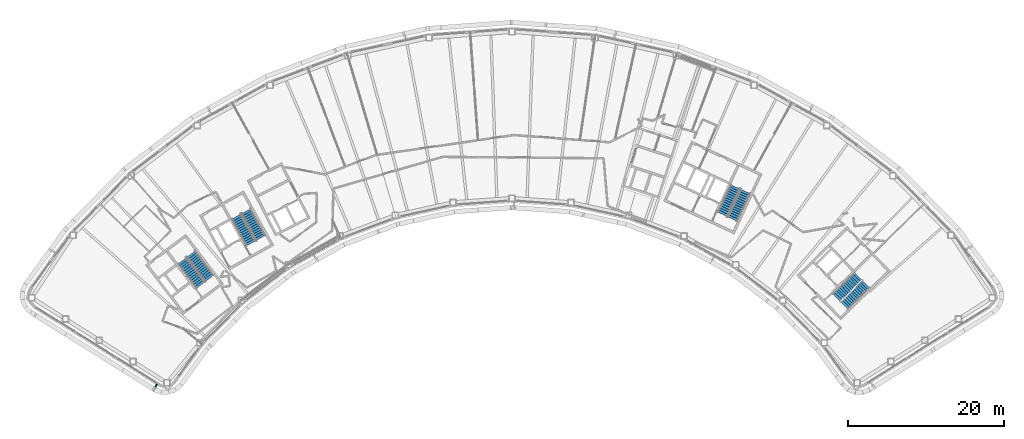
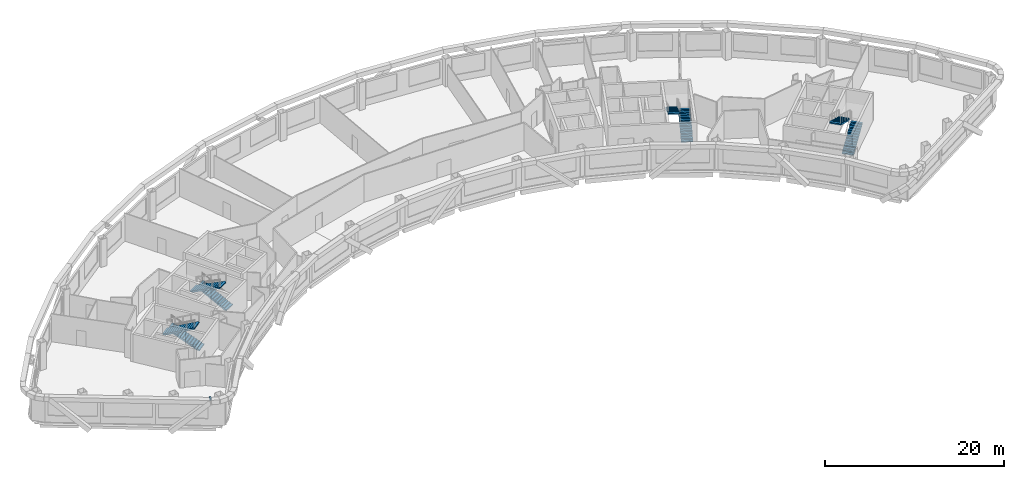
# One storey, part 12 of 18: 8 stair flights, 1 discrete accessory, 4 elements without a shape of their own.
"""IFC4 building model written with IfcOpenShell, lengths in metres."""

from ifc_helpers import new_model, si_unit, direction, frame, origin, origin_2d, place, context, subcontext, project, spatial, polyline, rectangle, outline, extrude, material, type_object, element, aggregate, save


model = new_model("IFC4")

# Units and contexts
model_context = context("Model", 3, precision=1e-05, world=origin(), true_north=direction((0.0, 1.0)))
body_context = subcontext(model_context, "Body", "Model", "MODEL_VIEW")
ifc_project = project(units=[si_unit("LENGTHUNIT", "METRE"), si_unit("AREAUNIT", "SQUARE_METRE"), si_unit("VOLUMEUNIT", "CUBIC_METRE"), si_unit("PLANEANGLEUNIT", "RADIAN"), si_unit("MASSUNIT", "GRAM", prefix="KILO")], contexts=[model_context])

# Site, building, storey
site_placement = place(None, origin())
site = spatial("IfcSite", under=ifc_project, at=site_placement, CompositionType="ELEMENT")
building_placement = place(site_placement, origin())
building = spatial("IfcBuilding", under=site, at=building_placement, Name="Tuul Gate Civic Tower", CompositionType="ELEMENT")
storey_placement = place(building_placement, frame((0.0, 0.0, 234.699951171875)))
storey = spatial("IfcBuildingStorey", under=building, at=storey_placement, Name="Level 53", CompositionType="ELEMENT", Elevation=234.699951171875)

# Stair, stair flights
ifc_material_1 = material(Name="Concrete C40/50", Category="concrete")
stair_type = type_object("IfcStairType", Name="Exit stair", PredefinedType="HALF_TURN_STAIR", material=ifc_material_1)
stair_1_placement = place(storey_placement, origin())
stair_1 = element("IfcStair", 1, at=stair_1_placement, inside=storey, type_object=stair_type, Name="Level 53 ST-1", PredefinedType="HALF_TURN_STAIR")
ifc_material_2 = material(Name="Concrete C40/50", Category="concrete")
stair_flight_type = type_object("IfcStairFlightType", Name="Exit stair flight", PredefinedType="STRAIGHT", material=ifc_material_2)
stair_flight_1_placement = place(storey_placement, frame((-32.875244140625, -13.066650390625, 0.0), z_axis=(0.0, 0.0, 1.0), x_axis=(-0.605764474941, 0.795644016442, 0.0)))
stair_flight_1 = element("IfcStairFlight", 2, at=stair_flight_1_placement, type_object=stair_flight_type, Name="ST-1 flight 1", NumberOfRisers=14, NumberOfTreads=13, PredefinedType="STRAIGHT", RiserHeight=0.15, TreadLength=0.3, context=body_context, shape_type="SweptSolid", body=[
    extrude(outline(polyline([(0.0, 0.0), (0.0, 0.14990234375), (0.300048828125, 0.14990234375), (0.300048828125, 0.300048828125), (0.60009765625, 0.300048828125), (0.60009765625, 0.449951171875), (0.89990234375, 0.449951171875), (0.89990234375, 0.60009765625), (1.199951171875, 0.60009765625), (1.199951171875, 0.75), (1.5, 0.75), (1.5, 0.89990234375), (1.800048828125, 0.89990234375), (1.800048828125, 1.050048828125), (2.10009765625, 1.050048828125), (2.10009765625, 1.199951171875), (2.39990234375, 1.199951171875), (2.39990234375, 1.35009765625), (2.699951171875, 1.35009765625), (2.699951171875, 1.5), (3.0, 1.5), (3.0, 1.64990234375), (3.300048828125, 1.64990234375), (3.300048828125, 1.800048828125), (3.60009765625, 1.800048828125), (3.60009765625, 1.949951171875), (3.89990234375, 1.949951171875), (3.89990234375, 2.10009765625), (3.89990234375, 1.782470703125), (0.335205078125, 0.0), (0.0, 0.0)])), frame((0.0, 0.675048828125, 0.0), z_axis=(0.0, -1.0, 0.0), x_axis=(1.0, 0.0, 0.0)), (0.0, 0.0, 1.0), 1.35009765625),
])
stair_flight_2_placement = place(storey_placement, frame((-36.391357421875, -10.842041015625, 2.10009765625), z_axis=(0.0, 0.0, 1.0), x_axis=(0.605764474941, -0.795644016442, 0.0)))
stair_flight_2 = element("IfcStairFlight", 3, at=stair_flight_2_placement, type_object=stair_flight_type, Name="ST-1 flight 2", NumberOfRisers=14, NumberOfTreads=13, PredefinedType="STRAIGHT", RiserHeight=0.15, TreadLength=0.3, context=body_context, shape_type="SweptSolid", body=[
    extrude(outline(polyline([(0.0, 0.0), (0.0, 0.14990234375), (0.300048828125, 0.14990234375), (0.300048828125, 0.300048828125), (0.60009765625, 0.300048828125), (0.60009765625, 0.449951171875), (0.89990234375, 0.449951171875), (0.89990234375, 0.60009765625), (1.199951171875, 0.60009765625), (1.199951171875, 0.75), (1.5, 0.75), (1.5, 0.89990234375), (1.800048828125, 0.89990234375), (1.800048828125, 1.050048828125), (2.10009765625, 1.050048828125), (2.10009765625, 1.199951171875), (2.39990234375, 1.199951171875), (2.39990234375, 1.35009765625), (2.699951171875, 1.35009765625), (2.699951171875, 1.5), (3.0, 1.5), (3.0, 1.64990234375), (3.300048828125, 1.64990234375), (3.300048828125, 1.800048828125), (3.60009765625, 1.800048828125), (3.60009765625, 1.949951171875), (3.89990234375, 1.949951171875), (3.89990234375, 2.10009765625), (3.89990234375, 1.782470703125), (0.335205078125, 0.0), (0.0, 0.0)])), frame((0.0, 0.675048828125, 0.0), z_axis=(0.0, -1.0, 0.0), x_axis=(1.0, 0.0, 0.0)), (0.0, 0.0, 1.0), 1.35009765625),
])
aggregate(stair_1, [stair_flight_1, stair_flight_2])

stair_2_placement = place(storey_placement, origin())
stair_2 = element("IfcStair", 4, at=stair_2_placement, inside=storey, type_object=stair_type, Name="Level 53 ST-2", PredefinedType="HALF_TURN_STAIR")
stair_flight_3_placement = place(storey_placement, frame((-26.29150390625, -7.87646484375, 0.0), z_axis=(0.0, 0.0, 1.0), x_axis=(-0.484761763766, 0.874646232708, 0.0)))
stair_flight_3 = element("IfcStairFlight", 5, at=stair_flight_3_placement, type_object=stair_flight_type, Name="ST-2 flight 1", NumberOfRisers=14, NumberOfTreads=13, PredefinedType="STRAIGHT", RiserHeight=0.15, TreadLength=0.3, context=body_context, shape_type="SweptSolid", body=[
    extrude(outline(polyline([(0.0, 0.0), (0.0, 0.14990234375), (0.300048828125, 0.14990234375), (0.300048828125, 0.300048828125), (0.60009765625, 0.300048828125), (0.60009765625, 0.449951171875), (0.89990234375, 0.449951171875), (0.89990234375, 0.60009765625), (1.199951171875, 0.60009765625), (1.199951171875, 0.75), (1.5, 0.75), (1.5, 0.89990234375), (1.800048828125, 0.89990234375), (1.800048828125, 1.050048828125), (2.10009765625, 1.050048828125), (2.10009765625, 1.199951171875), (2.39990234375, 1.199951171875), (2.39990234375, 1.35009765625), (2.699951171875, 1.35009765625), (2.699951171875, 1.5), (3.0, 1.5), (3.0, 1.64990234375), (3.300048828125, 1.64990234375), (3.300048828125, 1.800048828125), (3.60009765625, 1.800048828125), (3.60009765625, 1.949951171875), (3.89990234375, 1.949951171875), (3.89990234375, 2.10009765625), (3.89990234375, 1.782470703125), (0.335205078125, 0.0), (0.0, 0.0)])), frame((0.0, 0.675048828125, 0.0), z_axis=(0.0, -1.0, 0.0), x_axis=(1.0, 0.0, 0.0)), (0.0, 0.0, 1.0), 1.35009765625),
])
stair_flight_4_placement = place(storey_placement, frame((-29.450439453125, -5.168212890625, 2.10009765625), z_axis=(0.0, 0.0, 1.0), x_axis=(0.484761763766, -0.874646232708, 0.0)))
stair_flight_4 = element("IfcStairFlight", 6, at=stair_flight_4_placement, type_object=stair_flight_type, Name="ST-2 flight 2", NumberOfRisers=14, NumberOfTreads=13, PredefinedType="STRAIGHT", RiserHeight=0.15, TreadLength=0.3, context=body_context, shape_type="SweptSolid", body=[
    extrude(outline(polyline([(0.0, 0.0), (0.0, 0.14990234375), (0.300048828125, 0.14990234375), (0.300048828125, 0.300048828125), (0.60009765625, 0.300048828125), (0.60009765625, 0.449951171875), (0.89990234375, 0.449951171875), (0.89990234375, 0.60009765625), (1.199951171875, 0.60009765625), (1.199951171875, 0.75), (1.5, 0.75), (1.5, 0.89990234375), (1.800048828125, 0.89990234375), (1.800048828125, 1.050048828125), (2.10009765625, 1.050048828125), (2.10009765625, 1.199951171875), (2.39990234375, 1.199951171875), (2.39990234375, 1.35009765625), (2.699951171875, 1.35009765625), (2.699951171875, 1.5), (3.0, 1.5), (3.0, 1.64990234375), (3.300048828125, 1.64990234375), (3.300048828125, 1.800048828125), (3.60009765625, 1.800048828125), (3.60009765625, 1.949951171875), (3.89990234375, 1.949951171875), (3.89990234375, 2.10009765625), (3.89990234375, 1.782470703125), (0.335205078125, 0.0), (0.0, 0.0)])), frame((0.0, 0.675048828125, 0.0), z_axis=(0.0, -1.0, 0.0), x_axis=(1.0, 0.0, 0.0)), (0.0, 0.0, 1.0), 1.35009765625),
])
aggregate(stair_2, [stair_flight_3, stair_flight_4])

stair_3_placement = place(storey_placement, origin())
stair_3 = element("IfcStair", 7, at=stair_3_placement, inside=storey, type_object=stair_type, Name="Level 53 ST-3", PredefinedType="HALF_TURN_STAIR")
stair_flight_5_placement = place(storey_placement, frame((48.61376953125, -16.581787109375, 0.0), z_axis=(0.0, 0.0, 1.0), x_axis=(0.714127290059, 0.700015866672, 0.0)))
stair_flight_5 = element("IfcStairFlight", 8, at=stair_flight_5_placement, type_object=stair_flight_type, Name="ST-3 flight 1", NumberOfRisers=14, NumberOfTreads=13, PredefinedType="STRAIGHT", RiserHeight=0.15, TreadLength=0.3, context=body_context, shape_type="SweptSolid", body=[
    extrude(outline(polyline([(0.0, 0.0), (0.0, 0.14990234375), (0.300048828125, 0.14990234375), (0.300048828125, 0.300048828125), (0.60009765625, 0.300048828125), (0.60009765625, 0.449951171875), (0.89990234375, 0.449951171875), (0.89990234375, 0.60009765625), (1.199951171875, 0.60009765625), (1.199951171875, 0.75), (1.5, 0.75), (1.5, 0.89990234375), (1.800048828125, 0.89990234375), (1.800048828125, 1.050048828125), (2.10009765625, 1.050048828125), (2.10009765625, 1.199951171875), (2.39990234375, 1.199951171875), (2.39990234375, 1.35009765625), (2.699951171875, 1.35009765625), (2.699951171875, 1.5), (3.0, 1.5), (3.0, 1.64990234375), (3.300048828125, 1.64990234375), (3.300048828125, 1.800048828125), (3.60009765625, 1.800048828125), (3.60009765625, 1.949951171875), (3.89990234375, 1.949951171875), (3.89990234375, 2.10009765625), (3.89990234375, 1.782470703125), (0.335205078125, 0.0), (0.0, 0.0)])), frame((0.0, 0.675048828125, 0.0), z_axis=(0.0, -1.0, 0.0), x_axis=(1.0, 0.0, 0.0)), (0.0, 0.0, 1.0), 1.35009765625),
])
stair_flight_6_placement = place(storey_placement, frame((50.3837890625, -12.816162109375, 2.10009765625), z_axis=(0.0, 0.0, 1.0), x_axis=(-0.714127290059, -0.700015866672, 0.0)))
stair_flight_6 = element("IfcStairFlight", 9, at=stair_flight_6_placement, type_object=stair_flight_type, Name="ST-3 flight 2", NumberOfRisers=14, NumberOfTreads=13, PredefinedType="STRAIGHT", RiserHeight=0.15, TreadLength=0.3, context=body_context, shape_type="SweptSolid", body=[
    extrude(outline(polyline([(0.0, 0.0), (0.0, 0.14990234375), (0.300048828125, 0.14990234375), (0.300048828125, 0.300048828125), (0.60009765625, 0.300048828125), (0.60009765625, 0.449951171875), (0.89990234375, 0.449951171875), (0.89990234375, 0.60009765625), (1.199951171875, 0.60009765625), (1.199951171875, 0.75), (1.5, 0.75), (1.5, 0.89990234375), (1.800048828125, 0.89990234375), (1.800048828125, 1.050048828125), (2.10009765625, 1.050048828125), (2.10009765625, 1.199951171875), (2.39990234375, 1.199951171875), (2.39990234375, 1.35009765625), (2.699951171875, 1.35009765625), (2.699951171875, 1.5), (3.0, 1.5), (3.0, 1.64990234375), (3.300048828125, 1.64990234375), (3.300048828125, 1.800048828125), (3.60009765625, 1.800048828125), (3.60009765625, 1.949951171875), (3.89990234375, 1.949951171875), (3.89990234375, 2.10009765625), (3.89990234375, 1.782470703125), (0.335205078125, 0.0), (0.0, 0.0)])), frame((0.0, 0.675048828125, 0.0), z_axis=(0.0, -1.0, 0.0), x_axis=(1.0, 0.0, 0.0)), (0.0, 0.0, 1.0), 1.35009765625),
])
aggregate(stair_3, [stair_flight_5, stair_flight_6])

stair_4_placement = place(storey_placement, origin())
stair_4 = element("IfcStair", 10, at=stair_4_placement, inside=storey, type_object=stair_type, Name="Level 53 ST-4", PredefinedType="HALF_TURN_STAIR")
stair_flight_7_placement = place(storey_placement, frame((34.278564453125, -5.478515625, 0.0), z_axis=(0.0, 0.0, 1.0), x_axis=(0.422576295988, 0.906327354806, 0.0)))
stair_flight_7 = element("IfcStairFlight", 11, at=stair_flight_7_placement, type_object=stair_flight_type, Name="ST-4 flight 1", NumberOfRisers=14, NumberOfTreads=13, PredefinedType="STRAIGHT", RiserHeight=0.15, TreadLength=0.3, context=body_context, shape_type="SweptSolid", body=[
    extrude(outline(polyline([(0.0, 0.0), (0.0, 0.14990234375), (0.300048828125, 0.14990234375), (0.300048828125, 0.300048828125), (0.60009765625, 0.300048828125), (0.60009765625, 0.449951171875), (0.89990234375, 0.449951171875), (0.89990234375, 0.60009765625), (1.199951171875, 0.60009765625), (1.199951171875, 0.75), (1.5, 0.75), (1.5, 0.89990234375), (1.800048828125, 0.89990234375), (1.800048828125, 1.050048828125), (2.10009765625, 1.050048828125), (2.10009765625, 1.199951171875), (2.39990234375, 1.199951171875), (2.39990234375, 1.35009765625), (2.699951171875, 1.35009765625), (2.699951171875, 1.5), (3.0, 1.5), (3.0, 1.64990234375), (3.300048828125, 1.64990234375), (3.300048828125, 1.800048828125), (3.60009765625, 1.800048828125), (3.60009765625, 1.949951171875), (3.89990234375, 1.949951171875), (3.89990234375, 2.10009765625), (3.89990234375, 1.782470703125), (0.335205078125, 0.0), (0.0, 0.0)])), frame((0.0, 0.675048828125, 0.0), z_axis=(0.0, -1.0, 0.0), x_axis=(1.0, 0.0, 0.0)), (0.0, 0.0, 1.0), 1.35009765625),
])
stair_flight_8_placement = place(storey_placement, frame((34.612548828125, -1.3310546875, 2.10009765625), z_axis=(0.0, 0.0, 1.0), x_axis=(-0.422576295988, -0.906327354806, 0.0)))
stair_flight_8 = element("IfcStairFlight", 12, at=stair_flight_8_placement, type_object=stair_flight_type, Name="ST-4 flight 2", NumberOfRisers=14, NumberOfTreads=13, PredefinedType="STRAIGHT", RiserHeight=0.15, TreadLength=0.3, context=body_context, shape_type="SweptSolid", body=[
    extrude(outline(polyline([(0.0, 0.0), (0.0, 0.14990234375), (0.300048828125, 0.14990234375), (0.300048828125, 0.300048828125), (0.60009765625, 0.300048828125), (0.60009765625, 0.449951171875), (0.89990234375, 0.449951171875), (0.89990234375, 0.60009765625), (1.199951171875, 0.60009765625), (1.199951171875, 0.75), (1.5, 0.75), (1.5, 0.89990234375), (1.800048828125, 0.89990234375), (1.800048828125, 1.050048828125), (2.10009765625, 1.050048828125), (2.10009765625, 1.199951171875), (2.39990234375, 1.199951171875), (2.39990234375, 1.35009765625), (2.699951171875, 1.35009765625), (2.699951171875, 1.5), (3.0, 1.5), (3.0, 1.64990234375), (3.300048828125, 1.64990234375), (3.300048828125, 1.800048828125), (3.60009765625, 1.800048828125), (3.60009765625, 1.949951171875), (3.89990234375, 1.949951171875), (3.89990234375, 2.10009765625), (3.89990234375, 1.782470703125), (0.335205078125, 0.0), (0.0, 0.0)])), frame((0.0, 0.675048828125, 0.0), z_axis=(0.0, -1.0, 0.0), x_axis=(1.0, 0.0, 0.0)), (0.0, 0.0, 1.0), 1.35009765625),
])
aggregate(stair_4, [stair_flight_7, stair_flight_8])

# Discrete accessory
ifc_material_3 = material(Name="Stainless steel", Category="steel")
discrete_accessory_type = type_object("IfcDiscreteAccessoryType", Name="Screen bracket", PredefinedType="BRACKET", material=ifc_material_3)
discrete_accessory_placement = place(storey_placement, frame((-39.752685546875, -26.869140625, 3.75), z_axis=(0.0, 0.0, 1.0), x_axis=(-0.448843370675, -0.893610445665, 0.0)))
element("IfcDiscreteAccessory", 13, at=discrete_accessory_placement, inside=storey, type_object=discrete_accessory_type, Name="Screen bracket 20", PredefinedType="BRACKET", context=body_context, shape_type="SweptSolid", body=[
    extrude(rectangle(XDim=0.451904296875, YDim=0.199951171875, at=origin_2d()), origin(), (0.0, 0.0, 1.0), 0.199951171875),
])

save(model, "model.ifc")
